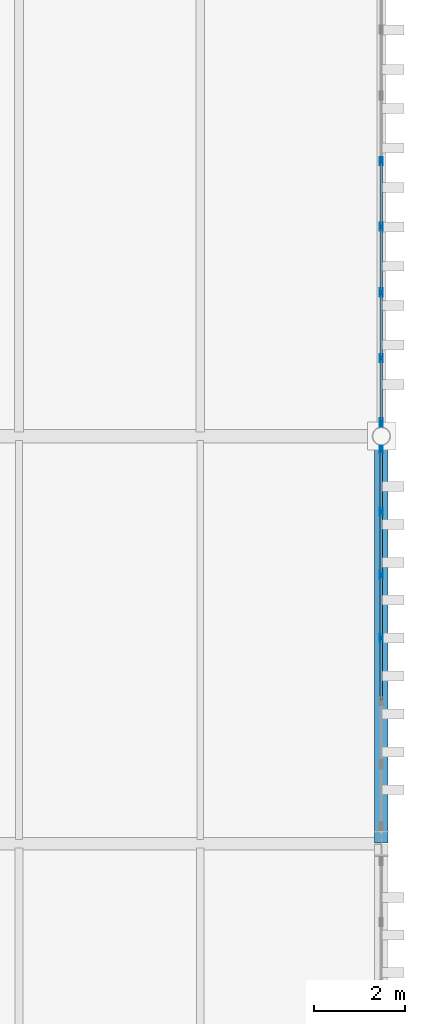
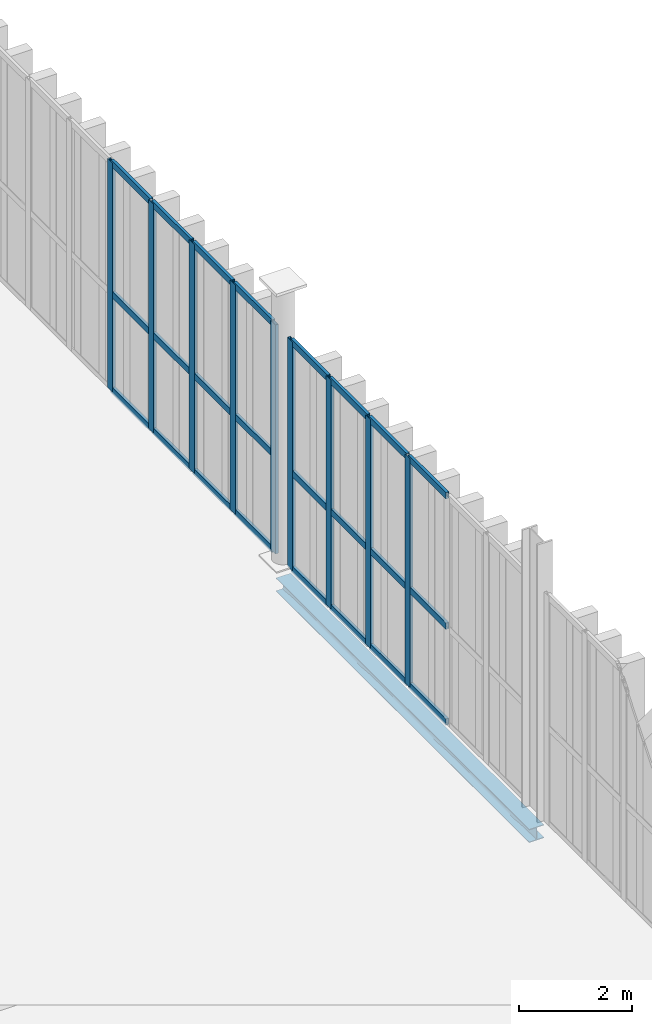
# One storey, part 132 of 211: 33 members, 1 beam, 2 elements without a shape of their own.
"""IFC4 building model written with IfcOpenShell, lengths in metres."""

from ifc_helpers import new_model, si_unit, direction, frame, origin, origin_2d, place, context, subcontext, project, spatial, hollow_rectangle, i_section, extrude, material, layer, layer_set, material_profile, profile_set, type_object, element, aggregate, save


model = new_model("IFC4")

# Units and contexts
model_context = context("Model", 3, precision=1e-05, world=origin(), true_north=direction((0.0, 1.0)))
body_context = subcontext(model_context, "Body", "Model", "MODEL_VIEW")
ifc_project = project(units=[si_unit("LENGTHUNIT", "METRE"), si_unit("AREAUNIT", "SQUARE_METRE"), si_unit("VOLUMEUNIT", "CUBIC_METRE"), si_unit("PLANEANGLEUNIT", "RADIAN"), si_unit("MASSUNIT", "GRAM", prefix="KILO")], contexts=[model_context])

# Site, building, storey
site_placement = place(None, origin())
site = spatial("IfcSite", under=ifc_project, at=site_placement, CompositionType="ELEMENT")
building_placement = place(site_placement, origin())
building = spatial("IfcBuilding", under=site, at=building_placement, Name="Barlavento Convention Centre", CompositionType="ELEMENT")
storey_placement = place(building_placement, frame((0.0, 0.0, 6.0)))
storey = spatial("IfcBuildingStorey", under=building, at=storey_placement, Name="L01", CompositionType="ELEMENT", Elevation=6.0)

# Curtain wall, members
ifc_material_1 = material(Name="Powder-coated aluminium and Low-E glass", Category="aluminium")
ifc_layer = layer(ifc_material_1, 0.195068359375)
ifc_layer_set = layer_set([ifc_layer], Name="ARC-CW-FOY-L01")
curtain_wall_type = type_object("IfcCurtainWallType", Name="ARC-CW-FOY-L01", PredefinedType="NOTDEFINED", material=ifc_layer_set)
curtain_wall_1_placement = place(storey_placement, origin())
curtain_wall_1 = element("IfcCurtainWall", 1, at=curtain_wall_1_placement, inside=storey, type_object=curtain_wall_type, Name="L01 unitised curtain wall CW03", PredefinedType="NOTDEFINED")
ifc_material_2 = material(Name="Powder-coated aluminium", Category="aluminium")
ifc_material_profile_1 = material_profile(ifc_material_2, hollow_rectangle(XDim=0.06005859375, YDim=0.179931640625, WallThickness=0.0048828125, at=origin_2d()), Name="AL-MULL 60x180x5")
ifc_profile_set_1 = profile_set([ifc_material_profile_1], Name="Powder-coated aluminium")
member_type_1 = type_object("IfcMemberType", Name="ARC-CWM-60X180", PredefinedType="MULLION", material=ifc_profile_set_1)
member_1_placement = place(storey_placement, frame((192.0, 112.54150390625, 0.0), z_axis=(0.0, 0.0, 1.0), x_axis=(-1.0, 0.0, 0.0)))
member_1 = element("IfcMember", 2, at=member_1_placement, type_object=member_type_1, Name="CW03 mullion 4", PredefinedType="MULLION", context=body_context, shape_type="SweptSolid", body=[
    extrude(hollow_rectangle(XDim=0.06005859375, YDim=0.179931640625, WallThickness=0.0048828125, at=origin_2d()), origin(), (0.0, 0.0, 1.0), 4.949951171875),
])
member_2_placement = place(storey_placement, frame((192.0, 113.9365234375, 0.0), z_axis=(0.0, 0.0, 1.0), x_axis=(-1.0, 0.0, 0.0)))
member_2 = element("IfcMember", 3, at=member_2_placement, type_object=member_type_1, Name="CW03 mullion 5", PredefinedType="MULLION", context=body_context, shape_type="SweptSolid", body=[
    extrude(hollow_rectangle(XDim=0.06005859375, YDim=0.179931640625, WallThickness=0.0048828125, at=origin_2d()), origin(), (0.0, 0.0, 1.0), 4.949951171875),
])
member_3_placement = place(storey_placement, frame((192.0, 115.331787109375, 0.0), z_axis=(0.0, 0.0, 1.0), x_axis=(-1.0, 0.0, 0.0)))
member_3 = element("IfcMember", 4, at=member_3_placement, type_object=member_type_1, Name="CW03 mullion 6", PredefinedType="MULLION", context=body_context, shape_type="SweptSolid", body=[
    extrude(hollow_rectangle(XDim=0.06005859375, YDim=0.179931640625, WallThickness=0.0048828125, at=origin_2d()), origin(), (0.0, 0.0, 1.0), 4.949951171875),
])
member_4_placement = place(storey_placement, frame((192.0, 116.69677734375, 0.0), z_axis=(0.0, 0.0, 1.0), x_axis=(-1.0, 0.0, 0.0)))
member_4 = element("IfcMember", 5, at=member_4_placement, type_object=member_type_1, Name="CW03 mullion 7", PredefinedType="MULLION", context=body_context, shape_type="SweptSolid", body=[
    extrude(hollow_rectangle(XDim=0.06005859375, YDim=0.179931640625, WallThickness=0.0048828125, at=origin_2d()), origin(), (0.0, 0.0, 1.0), 4.949951171875),
])

curtain_wall_2_placement = place(storey_placement, origin())
curtain_wall_2 = element("IfcCurtainWall", 6, at=curtain_wall_2_placement, inside=storey, type_object=curtain_wall_type, Name="L01 unitised curtain wall CW03", PredefinedType="NOTDEFINED")
member_5_placement = place(storey_placement, frame((192.0, 117.30322265625, 0.0), z_axis=(0.0, 0.0, 1.0), x_axis=(-1.0, 0.0, 0.0)))
member_5 = element("IfcMember", 7, at=member_5_placement, type_object=member_type_1, Name="CW03 mullion 1", PredefinedType="MULLION", context=body_context, shape_type="SweptSolid", body=[
    extrude(hollow_rectangle(XDim=0.06005859375, YDim=0.179931640625, WallThickness=0.0048828125, at=origin_2d()), origin(), (0.0, 0.0, 1.0), 4.949951171875),
])
member_6_placement = place(storey_placement, frame((192.0, 118.72265625, 0.0), z_axis=(0.0, 0.0, 1.0), x_axis=(-1.0, 0.0, 0.0)))
member_6 = element("IfcMember", 8, at=member_6_placement, type_object=member_type_1, Name="CW03 mullion 2", PredefinedType="MULLION", context=body_context, shape_type="SweptSolid", body=[
    extrude(hollow_rectangle(XDim=0.06005859375, YDim=0.179931640625, WallThickness=0.0048828125, at=origin_2d()), origin(), (0.0, 0.0, 1.0), 4.949951171875),
])
member_7_placement = place(storey_placement, frame((192.0, 120.17236328125, 0.0), z_axis=(0.0, 0.0, 1.0), x_axis=(-1.0, 0.0, 0.0)))
member_7 = element("IfcMember", 9, at=member_7_placement, type_object=member_type_1, Name="CW03 mullion 3", PredefinedType="MULLION", context=body_context, shape_type="SweptSolid", body=[
    extrude(hollow_rectangle(XDim=0.06005859375, YDim=0.179931640625, WallThickness=0.0048828125, at=origin_2d()), origin(), (0.0, 0.0, 1.0), 4.949951171875),
])
member_8_placement = place(storey_placement, frame((192.0, 121.621826171875, 0.0), z_axis=(0.0, 0.0, 1.0), x_axis=(-1.0, 0.0, 0.0)))
member_8 = element("IfcMember", 10, at=member_8_placement, type_object=member_type_1, Name="CW03 mullion 4", PredefinedType="MULLION", context=body_context, shape_type="SweptSolid", body=[
    extrude(hollow_rectangle(XDim=0.06005859375, YDim=0.179931640625, WallThickness=0.0048828125, at=origin_2d()), origin(), (0.0, 0.0, 1.0), 4.949951171875),
])
member_9_placement = place(storey_placement, frame((192.0, 123.071533203125, 0.0), z_axis=(0.0, 0.0, 1.0), x_axis=(-1.0, 0.0, 0.0)))
member_9 = element("IfcMember", 11, at=member_9_placement, type_object=member_type_1, Name="CW03 mullion 5", PredefinedType="MULLION", context=body_context, shape_type="SweptSolid", body=[
    extrude(hollow_rectangle(XDim=0.06005859375, YDim=0.179931640625, WallThickness=0.0048828125, at=origin_2d()), origin(), (0.0, 0.0, 1.0), 4.949951171875),
])

# Member
ifc_material_profile_2 = material_profile(ifc_material_2, hollow_rectangle(XDim=0.06005859375, YDim=0.139892578125, WallThickness=0.00390625, at=origin_2d()), Name="AL-TRAN 60x140x4")
ifc_profile_set_2 = profile_set([ifc_material_profile_2], Name="Powder-coated aluminium")
member_type_2 = type_object("IfcMemberType", Name="ARC-CWT-60X140", PredefinedType="USERDEFINED", material=ifc_profile_set_2)
member_10_placement = place(storey_placement, frame((192.0, 111.17626953125, 0.030029296875), z_axis=(0.0, 1.0, 0.0), x_axis=(-1.0, 0.0, 0.0)))
member_10 = element("IfcMember", 12, at=member_10_placement, type_object=member_type_2, Name="CW03 transom 3.1", ObjectType="TRANSOM", PredefinedType="USERDEFINED", context=body_context, shape_type="SweptSolid", body=[
    extrude(hollow_rectangle(XDim=0.06005859375, YDim=0.139892578125, WallThickness=0.00390625, at=origin_2d()), origin(), (0.0, 0.0, 1.0), 1.335205078125),
])

member_11_placement = place(storey_placement, frame((192.0, 111.17626953125, 2.10009765625), z_axis=(0.0, 1.0, 0.0), x_axis=(-1.0, 0.0, 0.0)))
member_11 = element("IfcMember", 13, at=member_11_placement, type_object=member_type_2, Name="CW03 transom 3.2", ObjectType="TRANSOM", PredefinedType="USERDEFINED", context=body_context, shape_type="SweptSolid", body=[
    extrude(hollow_rectangle(XDim=0.06005859375, YDim=0.139892578125, WallThickness=0.00390625, at=origin_2d()), origin(), (0.0, 0.0, 1.0), 1.335205078125),
])

member_12_placement = place(storey_placement, frame((192.0, 111.17626953125, 4.919921875), z_axis=(0.0, 1.0, 0.0), x_axis=(-1.0, 0.0, 0.0)))
member_12 = element("IfcMember", 14, at=member_12_placement, type_object=member_type_2, Name="CW03 transom 3.3", ObjectType="TRANSOM", PredefinedType="USERDEFINED", context=body_context, shape_type="SweptSolid", body=[
    extrude(hollow_rectangle(XDim=0.06005859375, YDim=0.139892578125, WallThickness=0.00390625, at=origin_2d()), origin(), (0.0, 0.0, 1.0), 1.335205078125),
])

member_13_placement = place(storey_placement, frame((192.0, 112.5712890625, 0.030029296875), z_axis=(0.0, 1.0, 0.0), x_axis=(-1.0, 0.0, 0.0)))
member_13 = element("IfcMember", 15, at=member_13_placement, type_object=member_type_2, Name="CW03 transom 4.1", ObjectType="TRANSOM", PredefinedType="USERDEFINED", context=body_context, shape_type="SweptSolid", body=[
    extrude(hollow_rectangle(XDim=0.06005859375, YDim=0.139892578125, WallThickness=0.00390625, at=origin_2d()), origin(), (0.0, 0.0, 1.0), 1.335205078125),
])

member_14_placement = place(storey_placement, frame((192.0, 112.5712890625, 2.10009765625), z_axis=(0.0, 1.0, 0.0), x_axis=(-1.0, 0.0, 0.0)))
member_14 = element("IfcMember", 16, at=member_14_placement, type_object=member_type_2, Name="CW03 transom 4.2", ObjectType="TRANSOM", PredefinedType="USERDEFINED", context=body_context, shape_type="SweptSolid", body=[
    extrude(hollow_rectangle(XDim=0.06005859375, YDim=0.139892578125, WallThickness=0.00390625, at=origin_2d()), origin(), (0.0, 0.0, 1.0), 1.335205078125),
])

member_15_placement = place(storey_placement, frame((192.0, 112.5712890625, 4.919921875), z_axis=(0.0, 1.0, 0.0), x_axis=(-1.0, 0.0, 0.0)))
member_15 = element("IfcMember", 17, at=member_15_placement, type_object=member_type_2, Name="CW03 transom 4.3", ObjectType="TRANSOM", PredefinedType="USERDEFINED", context=body_context, shape_type="SweptSolid", body=[
    extrude(hollow_rectangle(XDim=0.06005859375, YDim=0.139892578125, WallThickness=0.00390625, at=origin_2d()), origin(), (0.0, 0.0, 1.0), 1.335205078125),
])

member_16_placement = place(storey_placement, frame((192.0, 113.966552734375, 0.030029296875), z_axis=(0.0, 1.0, 0.0), x_axis=(-1.0, 0.0, 0.0)))
member_16 = element("IfcMember", 18, at=member_16_placement, type_object=member_type_2, Name="CW03 transom 5.1", ObjectType="TRANSOM", PredefinedType="USERDEFINED", context=body_context, shape_type="SweptSolid", body=[
    extrude(hollow_rectangle(XDim=0.06005859375, YDim=0.139892578125, WallThickness=0.00390625, at=origin_2d()), origin(), (0.0, 0.0, 1.0), 1.335205078125),
])

member_17_placement = place(storey_placement, frame((192.0, 113.966552734375, 2.10009765625), z_axis=(0.0, 1.0, 0.0), x_axis=(-1.0, 0.0, 0.0)))
member_17 = element("IfcMember", 19, at=member_17_placement, type_object=member_type_2, Name="CW03 transom 5.2", ObjectType="TRANSOM", PredefinedType="USERDEFINED", context=body_context, shape_type="SweptSolid", body=[
    extrude(hollow_rectangle(XDim=0.06005859375, YDim=0.139892578125, WallThickness=0.00390625, at=origin_2d()), origin(), (0.0, 0.0, 1.0), 1.335205078125),
])

member_18_placement = place(storey_placement, frame((192.0, 113.966552734375, 4.919921875), z_axis=(0.0, 1.0, 0.0), x_axis=(-1.0, 0.0, 0.0)))
member_18 = element("IfcMember", 20, at=member_18_placement, type_object=member_type_2, Name="CW03 transom 5.3", ObjectType="TRANSOM", PredefinedType="USERDEFINED", context=body_context, shape_type="SweptSolid", body=[
    extrude(hollow_rectangle(XDim=0.06005859375, YDim=0.139892578125, WallThickness=0.00390625, at=origin_2d()), origin(), (0.0, 0.0, 1.0), 1.335205078125),
])

member_19_placement = place(storey_placement, frame((192.0, 115.361572265625, 0.030029296875), z_axis=(0.0, 1.0, 0.0), x_axis=(-1.0, 0.0, 0.0)))
member_19 = element("IfcMember", 21, at=member_19_placement, type_object=member_type_2, Name="CW03 transom 6.1", ObjectType="TRANSOM", PredefinedType="USERDEFINED", context=body_context, shape_type="SweptSolid", body=[
    extrude(hollow_rectangle(XDim=0.06005859375, YDim=0.139892578125, WallThickness=0.00390625, at=origin_2d()), origin(), (0.0, 0.0, 1.0), 1.30517578125),
])

member_20_placement = place(storey_placement, frame((192.0, 115.361572265625, 2.10009765625), z_axis=(0.0, 1.0, 0.0), x_axis=(-1.0, 0.0, 0.0)))
member_20 = element("IfcMember", 22, at=member_20_placement, type_object=member_type_2, Name="CW03 transom 6.2", ObjectType="TRANSOM", PredefinedType="USERDEFINED", context=body_context, shape_type="SweptSolid", body=[
    extrude(hollow_rectangle(XDim=0.06005859375, YDim=0.139892578125, WallThickness=0.00390625, at=origin_2d()), origin(), (0.0, 0.0, 1.0), 1.30517578125),
])

member_21_placement = place(storey_placement, frame((192.0, 115.361572265625, 4.919921875), z_axis=(0.0, 1.0, 0.0), x_axis=(-1.0, 0.0, 0.0)))
member_21 = element("IfcMember", 23, at=member_21_placement, type_object=member_type_2, Name="CW03 transom 6.3", ObjectType="TRANSOM", PredefinedType="USERDEFINED", context=body_context, shape_type="SweptSolid", body=[
    extrude(hollow_rectangle(XDim=0.06005859375, YDim=0.139892578125, WallThickness=0.00390625, at=origin_2d()), origin(), (0.0, 0.0, 1.0), 1.30517578125),
])

aggregate(curtain_wall_1, [member_1, member_2, member_3, member_4, member_10, member_11, member_12, member_13, member_14, member_15, member_16, member_17, member_18, member_19, member_20, member_21])

member_22_placement = place(storey_placement, frame((192.0, 117.333251953125, 0.030029296875), z_axis=(0.0, 1.0, 0.0), x_axis=(-1.0, 0.0, 0.0)))
member_22 = element("IfcMember", 24, at=member_22_placement, type_object=member_type_2, Name="CW03 transom 1.1", ObjectType="TRANSOM", PredefinedType="USERDEFINED", context=body_context, shape_type="SweptSolid", body=[
    extrude(hollow_rectangle(XDim=0.06005859375, YDim=0.139892578125, WallThickness=0.00390625, at=origin_2d()), origin(), (0.0, 0.0, 1.0), 1.359619140625),
])

member_23_placement = place(storey_placement, frame((192.0, 117.333251953125, 2.10009765625), z_axis=(0.0, 1.0, 0.0), x_axis=(-1.0, 0.0, 0.0)))
member_23 = element("IfcMember", 25, at=member_23_placement, type_object=member_type_2, Name="CW03 transom 1.2", ObjectType="TRANSOM", PredefinedType="USERDEFINED", context=body_context, shape_type="SweptSolid", body=[
    extrude(hollow_rectangle(XDim=0.06005859375, YDim=0.139892578125, WallThickness=0.00390625, at=origin_2d()), origin(), (0.0, 0.0, 1.0), 1.359619140625),
])

member_24_placement = place(storey_placement, frame((192.0, 117.333251953125, 4.919921875), z_axis=(0.0, 1.0, 0.0), x_axis=(-1.0, 0.0, 0.0)))
member_24 = element("IfcMember", 26, at=member_24_placement, type_object=member_type_2, Name="CW03 transom 1.3", ObjectType="TRANSOM", PredefinedType="USERDEFINED", context=body_context, shape_type="SweptSolid", body=[
    extrude(hollow_rectangle(XDim=0.06005859375, YDim=0.139892578125, WallThickness=0.00390625, at=origin_2d()), origin(), (0.0, 0.0, 1.0), 1.359619140625),
])

member_25_placement = place(storey_placement, frame((192.0, 118.752685546875, 0.030029296875), z_axis=(0.0, 1.0, 0.0), x_axis=(-1.0, 0.0, 0.0)))
member_25 = element("IfcMember", 27, at=member_25_placement, type_object=member_type_2, Name="CW03 transom 2.1", ObjectType="TRANSOM", PredefinedType="USERDEFINED", context=body_context, shape_type="SweptSolid", body=[
    extrude(hollow_rectangle(XDim=0.06005859375, YDim=0.139892578125, WallThickness=0.00390625, at=origin_2d()), origin(), (0.0, 0.0, 1.0), 1.3896484375),
])

member_26_placement = place(storey_placement, frame((192.0, 118.752685546875, 2.10009765625), z_axis=(0.0, 1.0, 0.0), x_axis=(-1.0, 0.0, 0.0)))
member_26 = element("IfcMember", 28, at=member_26_placement, type_object=member_type_2, Name="CW03 transom 2.2", ObjectType="TRANSOM", PredefinedType="USERDEFINED", context=body_context, shape_type="SweptSolid", body=[
    extrude(hollow_rectangle(XDim=0.06005859375, YDim=0.139892578125, WallThickness=0.00390625, at=origin_2d()), origin(), (0.0, 0.0, 1.0), 1.3896484375),
])

member_27_placement = place(storey_placement, frame((192.0, 118.752685546875, 4.919921875), z_axis=(0.0, 1.0, 0.0), x_axis=(-1.0, 0.0, 0.0)))
member_27 = element("IfcMember", 29, at=member_27_placement, type_object=member_type_2, Name="CW03 transom 2.3", ObjectType="TRANSOM", PredefinedType="USERDEFINED", context=body_context, shape_type="SweptSolid", body=[
    extrude(hollow_rectangle(XDim=0.06005859375, YDim=0.139892578125, WallThickness=0.00390625, at=origin_2d()), origin(), (0.0, 0.0, 1.0), 1.3896484375),
])

member_28_placement = place(storey_placement, frame((192.0, 120.202392578125, 0.030029296875), z_axis=(0.0, 1.0, 0.0), x_axis=(-1.0, 0.0, 0.0)))
member_28 = element("IfcMember", 30, at=member_28_placement, type_object=member_type_2, Name="CW03 transom 3.1", ObjectType="TRANSOM", PredefinedType="USERDEFINED", context=body_context, shape_type="SweptSolid", body=[
    extrude(hollow_rectangle(XDim=0.06005859375, YDim=0.139892578125, WallThickness=0.00390625, at=origin_2d()), origin(), (0.0, 0.0, 1.0), 1.389404296875),
])

member_29_placement = place(storey_placement, frame((192.0, 120.202392578125, 2.10009765625), z_axis=(0.0, 1.0, 0.0), x_axis=(-1.0, 0.0, 0.0)))
member_29 = element("IfcMember", 31, at=member_29_placement, type_object=member_type_2, Name="CW03 transom 3.2", ObjectType="TRANSOM", PredefinedType="USERDEFINED", context=body_context, shape_type="SweptSolid", body=[
    extrude(hollow_rectangle(XDim=0.06005859375, YDim=0.139892578125, WallThickness=0.00390625, at=origin_2d()), origin(), (0.0, 0.0, 1.0), 1.389404296875),
])

member_30_placement = place(storey_placement, frame((192.0, 120.202392578125, 4.919921875), z_axis=(0.0, 1.0, 0.0), x_axis=(-1.0, 0.0, 0.0)))
member_30 = element("IfcMember", 32, at=member_30_placement, type_object=member_type_2, Name="CW03 transom 3.3", ObjectType="TRANSOM", PredefinedType="USERDEFINED", context=body_context, shape_type="SweptSolid", body=[
    extrude(hollow_rectangle(XDim=0.06005859375, YDim=0.139892578125, WallThickness=0.00390625, at=origin_2d()), origin(), (0.0, 0.0, 1.0), 1.389404296875),
])

member_31_placement = place(storey_placement, frame((192.0, 121.65185546875, 0.030029296875), z_axis=(0.0, 1.0, 0.0), x_axis=(-1.0, 0.0, 0.0)))
member_31 = element("IfcMember", 33, at=member_31_placement, type_object=member_type_2, Name="CW03 transom 4.1", ObjectType="TRANSOM", PredefinedType="USERDEFINED", context=body_context, shape_type="SweptSolid", body=[
    extrude(hollow_rectangle(XDim=0.06005859375, YDim=0.139892578125, WallThickness=0.00390625, at=origin_2d()), origin(), (0.0, 0.0, 1.0), 1.3896484375),
])

member_32_placement = place(storey_placement, frame((192.0, 121.65185546875, 2.10009765625), z_axis=(0.0, 1.0, 0.0), x_axis=(-1.0, 0.0, 0.0)))
member_32 = element("IfcMember", 34, at=member_32_placement, type_object=member_type_2, Name="CW03 transom 4.2", ObjectType="TRANSOM", PredefinedType="USERDEFINED", context=body_context, shape_type="SweptSolid", body=[
    extrude(hollow_rectangle(XDim=0.06005859375, YDim=0.139892578125, WallThickness=0.00390625, at=origin_2d()), origin(), (0.0, 0.0, 1.0), 1.3896484375),
])

member_33_placement = place(storey_placement, frame((192.0, 121.65185546875, 4.919921875), z_axis=(0.0, 1.0, 0.0), x_axis=(-1.0, 0.0, 0.0)))
member_33 = element("IfcMember", 35, at=member_33_placement, type_object=member_type_2, Name="CW03 transom 4.3", ObjectType="TRANSOM", PredefinedType="USERDEFINED", context=body_context, shape_type="SweptSolid", body=[
    extrude(hollow_rectangle(XDim=0.06005859375, YDim=0.139892578125, WallThickness=0.00390625, at=origin_2d()), origin(), (0.0, 0.0, 1.0), 1.3896484375),
])

aggregate(curtain_wall_2, [member_5, member_6, member_7, member_8, member_9, member_22, member_23, member_24, member_25, member_26, member_27, member_28, member_29, member_30, member_31, member_32, member_33])

# Beam
ifc_material_3 = material(Name="Steel S355", Category="steel")
ifc_material_profile_3 = material_profile(ifc_material_3, i_section(OverallWidth=0.300048828125, OverallDepth=0.2900390625, WebThickness=0.008544921875, FlangeThickness=0.013916015625, FilletRadius=0.027099609375, at=origin_2d()), Name="HEA 300")
ifc_profile_set_3 = profile_set([ifc_material_profile_3], Name="Steel S355")
beam_type = type_object("IfcBeamType", Name="STR-BM-SPN-HEA300", PredefinedType="SPANDREL", material=ifc_profile_set_3)
beam_placement = place(storey_placement, frame((192.0, 108.02001953125, -0.47509765625), z_axis=(0.0, 1.0, 0.0), x_axis=(-1.0, 0.0, 0.0)))
element("IfcBeam", 36, at=beam_placement, inside=storey, type_object=beam_type, Name="L01 grid girder SP02", PredefinedType="SPANDREL", context=body_context, shape_type="SweptSolid", body=[
    extrude(i_section(OverallWidth=0.300048828125, OverallDepth=0.2900390625, WebThickness=0.008544921875, FlangeThickness=0.013916015625, FilletRadius=0.027099609375, at=origin_2d()), origin(), (0.0, 0.0, 1.0), 8.9599609375),
])

save(model, "model.ifc")
